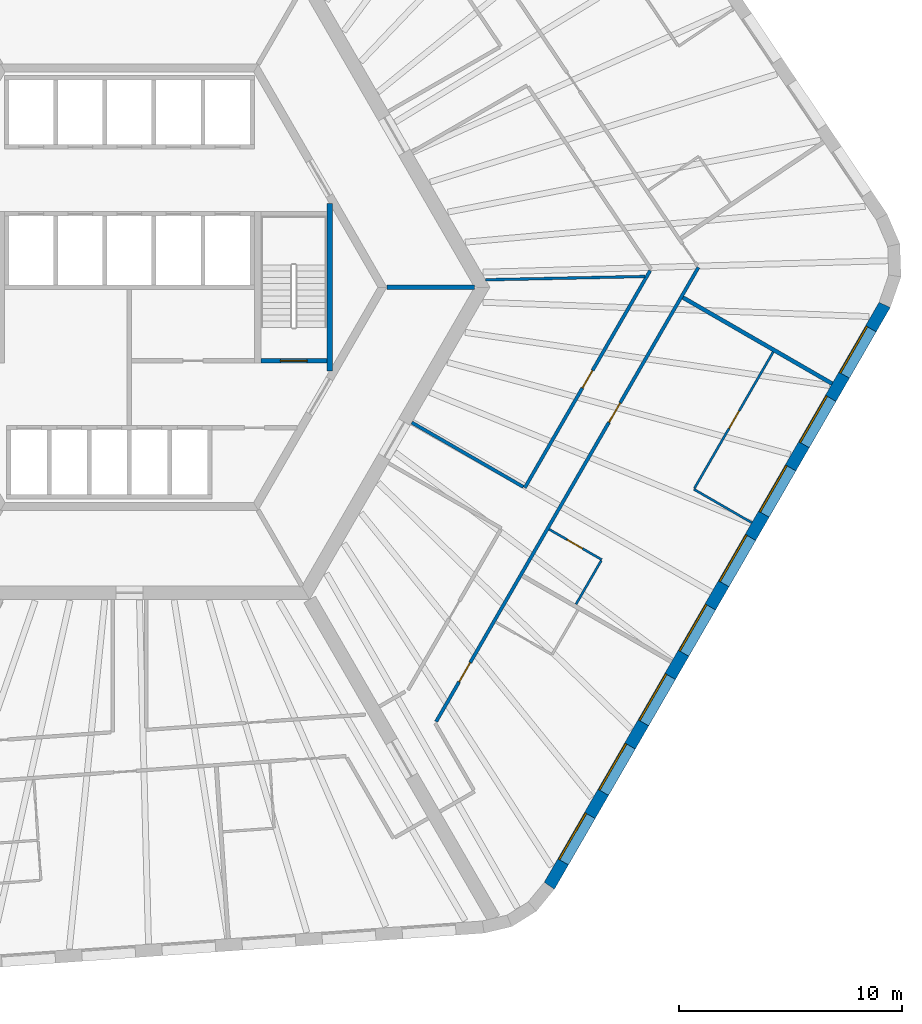
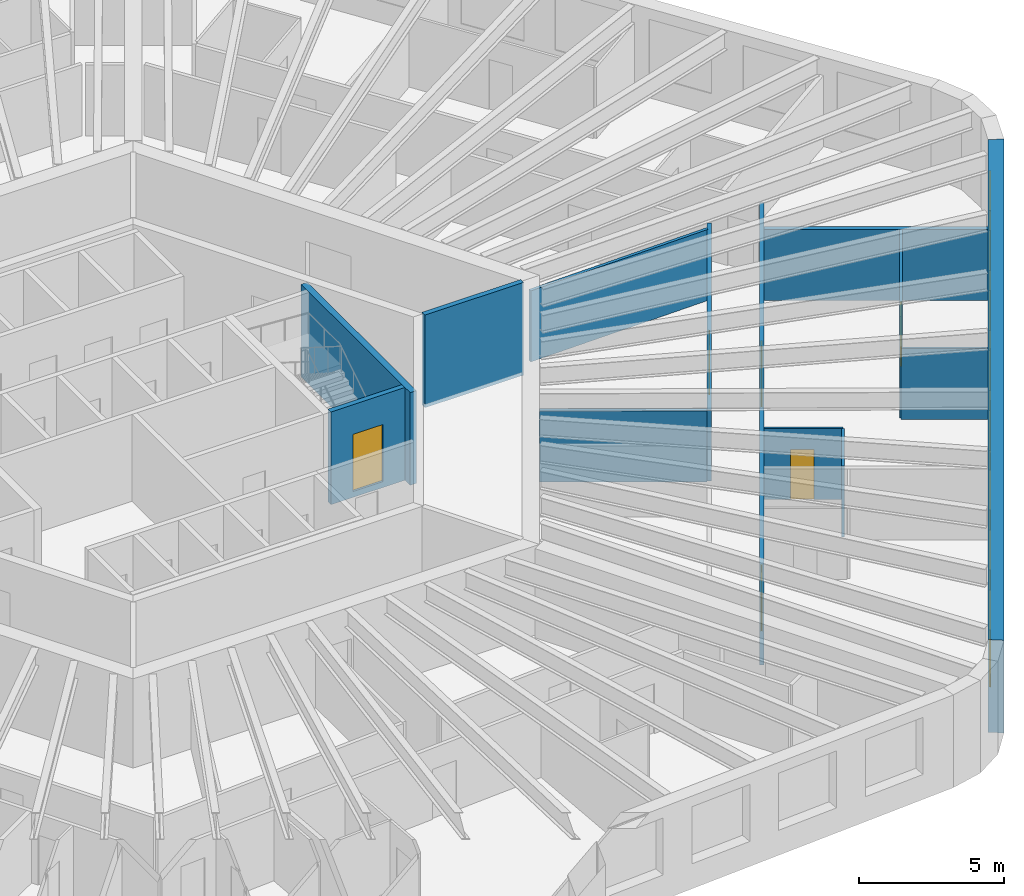
# One storey, part 6 of 12: 13 walls, 8 windows, 6 doors, 14 openings.
"""IFC4 building model written with IfcOpenShell, lengths in metres."""

from ifc_helpers import new_model, si_unit, direction, frame, frame_2d, origin, place, context, subcontext, project, spatial, polyline, rectangle, outline, extrude, material, layer, layer_set, type_object, element, fill, save


model = new_model("IFC4")

# Units and contexts
model_context = context("Model", 3, precision=1e-05, world=origin(), true_north=direction((0.0, 1.0)))
body_context = subcontext(model_context, "Body", "Model", "MODEL_VIEW")
ifc_project = project(units=[si_unit("LENGTHUNIT", "METRE"), si_unit("AREAUNIT", "SQUARE_METRE"), si_unit("VOLUMEUNIT", "CUBIC_METRE"), si_unit("PLANEANGLEUNIT", "RADIAN"), si_unit("MASSUNIT", "GRAM", prefix="KILO")], contexts=[model_context])

# Site, building, storey
site_placement = place(None, origin())
site = spatial("IfcSite", under=ifc_project, at=site_placement, CompositionType="ELEMENT")
building_placement = place(site_placement, origin())
building = spatial("IfcBuilding", under=site, at=building_placement, Name="Tarnside Tower", CompositionType="ELEMENT")
storey_placement = place(building_placement, frame((0.0, 0.0, 84.300048828125)))
storey = spatial("IfcBuildingStorey", under=building, at=storey_placement, Name="L18", CompositionType="ELEMENT", Elevation=84.300048828125)

# Wall, opening, door
ifc_material_1 = material(Name="Gypsum board partition on steel studs", Category="steel")
ifc_layer_1 = layer(ifc_material_1, 0.10009765625)
ifc_layer_set_1 = layer_set([ifc_layer_1], Name="Bathroom wall 100")
wall_type_1 = type_object("IfcWallType", Name="Bathroom wall 100", PredefinedType="PARTITIONING", material=ifc_layer_set_1)
wall_1_placement = place(storey_placement, frame((18.81982421875, -10.85302734375, 0.0), z_axis=(0.0, 0.0, 1.0), x_axis=(0.866073700213, -0.499916338801, 0.0)))
wall_1 = element("IfcWall", 1, at=wall_1_placement, inside=storey, type_object=wall_type_1, Name="Bathroom wall 05142", PredefinedType="PARTITIONING", context=body_context, shape_type="SweptSolid", body=[
    extrude(rectangle(XDim=2.72509765625, YDim=0.10009765625, at=frame_2d((1.362548828125, 0.0))), origin(), (0.0, 0.0, 1.0), 2.98779296875),
])
opening_1_placement = place(wall_1_placement, frame((0.925048828125, 0.0, 0.0)))
opening_1 = element("IfcOpeningElement", 2, at=opening_1_placement, cuts=wall_1, Name="Opening D-B1", PredefinedType="OPENING", context=body_context, shape_type="SweptSolid", body=[
    extrude(rectangle(XDim=0.800048828125, YDim=2.10009765625, at=frame_2d((0.39990234375, 1.050048828125))), frame((0.0, 0.06005859375, 0.0), z_axis=(0.0, -1.0, 0.0), x_axis=(1.0, 0.0, 0.0)), (0.0, 0.0, 1.0), 0.1201171875),
])
ifc_material_2 = material(Name="Timber door leaf", Category="wood")
door_type_1 = type_object("IfcDoorType", Name="Bathroom door 800", OperationType="NOTDEFINED", PredefinedType="DOOR", material=ifc_material_2)
door_1_placement = place(opening_1_placement, origin())
door_1 = element("IfcDoor", 3, at=door_1_placement, inside=storey, type_object=door_type_1, Name="Bathroom door 05033", OperationType="SINGLE_SWING_RIGHT", OverallHeight=2.10009765625, OverallWidth=0.800048828125, PredefinedType="DOOR", context=body_context, shape_type="SweptSolid", body=[
    extrude(rectangle(XDim=0.800048828125, YDim=2.10009765625, at=frame_2d((0.39990234375, 1.050048828125))), frame((0.0, 0.02490234375, 0.0), z_axis=(0.0, -1.0, 0.0), x_axis=(1.0, 0.0, 0.0)), (0.0, 0.0, 1.0), 0.050048828125),
])
fill(opening_1, door_1)

# Wall
wall_2_placement = place(storey_placement, frame((21.15478515625, -12.2587890625, 0.0), z_axis=(0.0, 0.0, 1.0), x_axis=(-0.49995000081, -0.866054268906, 0.0)))
element("IfcWall", 4, at=wall_2_placement, inside=storey, type_object=wall_type_1, Name="Bathroom wall 05143", PredefinedType="PARTITIONING", context=body_context, shape_type="SweptSolid", body=[
    extrude(rectangle(XDim=2.260009765625, YDim=0.10009765625, at=frame_2d((1.1298828125, 0.0))), origin(), (0.0, 0.0, 1.0), 2.98779296875),
])

# Wall, openings, doors
ifc_layer_2 = layer(ifc_material_1, 0.14990234375)
ifc_layer_set_2 = layer_set([ifc_layer_2], Name="Corridor wall 150 EI 60")
wall_type_2 = type_object("IfcWallType", Name="Corridor wall 150 EI 60", PredefinedType="PARTITIONING", material=ifc_layer_set_2)
wall_3_placement = place(storey_placement, frame((13.75537109375, -19.47509765625, 0.0), z_axis=(0.0, 0.0, 1.0), x_axis=(0.50000013933, 0.866025323342, 0.0)))
wall_3 = element("IfcWall", 5, at=wall_3_placement, inside=storey, type_object=wall_type_2, Name="Corridor wall 05057", PredefinedType="PARTITIONING", context=body_context, shape_type="SweptSolid", body=[
    extrude(rectangle(XDim=23.5166015625, YDim=0.14990234375, at=frame_2d((11.75830078125, 0.0))), origin(), (0.0, 0.0, 1.0), 2.98779296875),
])
opening_2_placement = place(wall_3_placement, frame((2.056396484375, 0.0, 0.0)))
opening_2 = element("IfcOpeningElement", 6, at=opening_2_placement, cuts=wall_3, Name="Opening D-E1", PredefinedType="OPENING", context=body_context, shape_type="SweptSolid", body=[
    extrude(rectangle(XDim=1.0, YDim=2.10009765625, at=frame_2d((0.5, 1.050048828125))), frame((0.0, 0.0849609375, 0.0), z_axis=(0.0, -1.0, 0.0), x_axis=(1.0, 0.0, 0.0)), (0.0, 0.0, 1.0), 0.169921875),
])
opening_3_placement = place(wall_3_placement, frame((15.499267578125, 0.0, 0.0)))
opening_3 = element("IfcOpeningElement", 7, at=opening_3_placement, cuts=wall_3, Name="Opening D-E1", PredefinedType="OPENING", context=body_context, shape_type="SweptSolid", body=[
    extrude(rectangle(XDim=1.0, YDim=2.10009765625, at=frame_2d((0.5, 1.050048828125))), frame((0.0, 0.0849609375, 0.0), z_axis=(0.0, -1.0, 0.0), x_axis=(1.0, 0.0, 0.0)), (0.0, 0.0, 1.0), 0.169921875),
])
door_type_2 = type_object("IfcDoorType", Name="Unit entrance door 1000 FD30S", OperationType="NOTDEFINED", PredefinedType="DOOR", material=ifc_material_2)
door_2_placement = place(opening_2_placement, origin())
door_2 = element("IfcDoor", 8, at=door_2_placement, inside=storey, type_object=door_type_2, Name="Unit door 05030", OperationType="SINGLE_SWING_RIGHT", OverallHeight=2.10009765625, OverallWidth=1.0, PredefinedType="DOOR", context=body_context, shape_type="SweptSolid", body=[
    extrude(rectangle(XDim=1.0, YDim=2.10009765625, at=frame_2d((0.5, 1.050048828125))), frame((0.0, 0.02490234375, 0.0), z_axis=(0.0, -1.0, 0.0), x_axis=(1.0, 0.0, 0.0)), (0.0, 0.0, 1.0), 0.050048828125),
])
fill(opening_2, door_2)
door_3_placement = place(opening_3_placement, origin())
door_3 = element("IfcDoor", 9, at=door_3_placement, inside=storey, type_object=door_type_2, Name="Unit door 05032", OperationType="SINGLE_SWING_LEFT", OverallHeight=2.10009765625, OverallWidth=1.0, PredefinedType="DOOR", context=body_context, shape_type="SweptSolid", body=[
    extrude(rectangle(XDim=1.0, YDim=2.10009765625, at=frame_2d((0.5, 1.050048828125))), frame((0.0, 0.02490234375, 0.0), z_axis=(0.0, -1.0, 0.0), x_axis=(1.0, 0.0, 0.0)), (0.0, 0.0, 1.0), 0.050048828125),
])
fill(opening_3, door_3)

# Wall, opening, door
wall_4_placement = place(storey_placement, frame((23.3505859375, 0.74462890625, 0.0), z_axis=(0.0, 0.0, 1.0), x_axis=(-0.49999316964, -0.866029347258, 0.0)))
wall_4 = element("IfcWall", 10, at=wall_4_placement, inside=storey, type_object=wall_type_2, Name="Corridor wall 05069", PredefinedType="PARTITIONING", context=body_context, shape_type="SweptSolid", body=[
    extrude(rectangle(XDim=11.241455078125, YDim=0.14990234375, at=frame_2d((5.62060546875, 0.0))), origin(), (0.0, 0.0, 1.0), 2.98779296875),
])
opening_4_placement = place(wall_4_placement, frame((5.170654296875, 0.0, 0.0)))
opening_4 = element("IfcOpeningElement", 11, at=opening_4_placement, cuts=wall_4, Name="Opening D-S1", PredefinedType="OPENING", context=body_context, shape_type="SweptSolid", body=[
    extrude(rectangle(XDim=0.89990234375, YDim=2.10009765625, at=frame_2d((0.449951171875, 1.050048828125))), frame((0.0, 0.0849609375, 0.0), z_axis=(0.0, -1.0, 0.0), x_axis=(1.0, 0.0, 0.0)), (0.0, 0.0, 1.0), 0.169921875),
])
door_type_3 = type_object("IfcDoorType", Name="Service room door 900 FD30S", OperationType="NOTDEFINED", PredefinedType="DOOR", material=ifc_material_2)
door_4_placement = place(opening_4_placement, origin())
door_4 = element("IfcDoor", 12, at=door_4_placement, inside=storey, type_object=door_type_3, Name="Service door 05049", OperationType="SINGLE_SWING_RIGHT", OverallHeight=2.10009765625, OverallWidth=0.89990234375, PredefinedType="DOOR", context=body_context, shape_type="SweptSolid", body=[
    extrude(rectangle(XDim=0.89990234375, YDim=2.10009765625, at=frame_2d((0.449951171875, 1.050048828125))), frame((0.0, 0.02490234375, 0.0), z_axis=(0.0, -1.0, 0.0), x_axis=(1.0, 0.0, 0.0)), (0.0, 0.0, 1.0), 0.050048828125),
])
fill(opening_4, door_4)

# Walls
wall_5_placement = place(storey_placement, frame((17.6650390625, -8.953125, 0.0), z_axis=(0.0, 0.0, 1.0), x_axis=(-0.866025774745, 0.499999357477, 0.0)))
element("IfcWall", 13, at=wall_5_placement, inside=storey, type_object=wall_type_2, Name="Corridor wall 05070", PredefinedType="PARTITIONING", context=body_context, shape_type="SweptSolid", body=[
    extrude(rectangle(XDim=5.77490234375, YDim=0.14990234375, at=frame_2d((2.887451171875, 0.0))), origin(), (0.0, 0.0, 1.0), 2.98779296875),
])
ifc_layer_3 = layer(ifc_material_1, 0.179931640625)
ifc_layer_set_3 = layer_set([ifc_layer_3], Name="Demising wall 180 EI 60")
wall_type_3 = type_object("IfcWallType", Name="Demising wall 180 EI 60", PredefinedType="PARTITIONING", material=ifc_layer_set_3)
wall_6_placement = place(storey_placement, frame((31.510009765625, -4.3232421875, 0.0), z_axis=(0.0, 0.0, 1.0), x_axis=(-0.866027174938, 0.499996932259, 0.0)))
element("IfcWall", 14, at=wall_6_placement, inside=storey, type_object=wall_type_3, Name="Demising wall 05146", PredefinedType="PARTITIONING", context=body_context, shape_type="SweptSolid", body=[
    extrude(rectangle(XDim=7.72509765625, YDim=0.179931640625, at=frame_2d((3.862548828125, 0.0))), origin(), (0.0, 0.0, 1.0), 2.98779296875),
])
ifc_material_3 = material(Name="Concrete C40/50", Category="concrete")
ifc_layer_4 = layer(ifc_material_3, 0.199951171875)
ifc_layer_set_4 = layer_set([ifc_layer_4], Name="Lift shaft wall 200 C40/50")
wall_type_4 = type_object("IfcWallType", Name="Lift shaft wall 200 C40/50", PredefinedType="SHEAR", material=ifc_layer_set_4)
wall_7_placement = place(storey_placement, frame((11.547119140625, 0.0, -0.150146484375), z_axis=(0.0, 0.0, 1.0), x_axis=(1.0, 0.0, 0.0)))
element("IfcWall", 15, at=wall_7_placement, inside=storey, type_object=wall_type_4, Name="L18 core partition AR0", PredefinedType="SHEAR", context=body_context, shape_type="SweptSolid", body=[
    extrude(rectangle(XDim=3.92578125, YDim=0.199951171875, at=frame_2d((1.962890625, 0.0))), origin(), (0.0, 0.0, 1.0), 3.900146484375),
])

# Wall, opening, door
wall_8_placement = place(storey_placement, frame((5.89990234375, -3.300048828125, -0.25), z_axis=(0.0, 0.0, 1.0), x_axis=(1.0, 0.0, 0.0)))
wall_8 = element("IfcWall", 16, at=wall_8_placement, inside=storey, type_object=wall_type_4, Name="L18 stair 1 enclosure cap wall s", PredefinedType="SHEAR", context=body_context, shape_type="SweptSolid", body=[
    extrude(rectangle(XDim=2.9501953125, YDim=0.199951171875, at=frame_2d((1.47509765625, 0.0))), origin(), (0.0, 0.0, 1.0), 3.89990234375),
])
opening_5_placement = place(wall_8_placement, frame((0.875, 0.0, 0.25)))
opening_5 = element("IfcOpeningElement", 17, at=opening_5_placement, cuts=wall_8, Name="Opening CD-STR", PredefinedType="OPENING", context=body_context, shape_type="SweptSolid", body=[
    extrude(rectangle(XDim=1.199951171875, YDim=2.39990234375, at=frame_2d((0.60009765625, 1.199951171875))), frame((0.0, 0.10986328125, 0.0), z_axis=(0.0, -1.0, 0.0), x_axis=(1.0, 0.0, 0.0)), (0.0, 0.0, 1.0), 0.219970703125),
])
ifc_material_4 = material(Name="Steel fire door", Category="steel")
door_type_4 = type_object("IfcDoorType", Name="Stair door FD60S 1200x2400", OperationType="NOTDEFINED", PredefinedType="DOOR", material=ifc_material_4)
door_5_placement = place(opening_5_placement, origin())
door_5 = element("IfcDoor", 18, at=door_5_placement, inside=storey, type_object=door_type_4, Name="L18 stair 1 door", OperationType="SINGLE_SWING_LEFT", OverallHeight=2.39990234375, OverallWidth=1.199951171875, PredefinedType="DOOR", context=body_context, shape_type="SweptSolid", body=[
    extrude(rectangle(XDim=1.199951171875, YDim=2.39990234375, at=frame_2d((0.60009765625, 1.199951171875))), frame((0.0, 0.02490234375, 0.0), z_axis=(0.0, -1.0, 0.0), x_axis=(1.0, 0.0, 0.0)), (0.0, 0.0, 1.0), 0.050048828125),
])
fill(opening_5, door_5)

# Wall
ifc_layer_5 = layer(ifc_material_1, 0.10009765625)
ifc_layer_set_5 = layer_set([ifc_layer_5], Name="Partition 100")
wall_type_5 = type_object("IfcWallType", Name="Partition 100", PredefinedType="PARTITIONING", material=ifc_layer_set_5)
wall_9_placement = place(storey_placement, frame((27.909912109375, -10.55859375, 0.0), z_axis=(0.0, 0.0, 1.0), x_axis=(-0.866010750942, 0.50002537861, 0.0)))
element("IfcWall", 19, at=wall_9_placement, inside=storey, type_object=wall_type_5, Name="Partition wall 05144", PredefinedType="PARTITIONING", context=body_context, shape_type="SweptSolid", body=[
    extrude(rectangle(XDim=2.999755859375, YDim=0.10009765625, at=frame_2d((1.5, 0.0))), origin(), (0.0, 0.0, 1.0), 2.98779296875),
])

# Wall, opening, door
wall_10_placement = place(storey_placement, frame((25.3369140625, -9.01513671875, 0.0), z_axis=(0.0, 0.0, 1.0), x_axis=(0.500010820671, 0.866019156377, 0.0)))
wall_10 = element("IfcWall", 20, at=wall_10_placement, inside=storey, type_object=wall_type_5, Name="Partition wall 05145", PredefinedType="PARTITIONING", context=body_context, shape_type="SweptSolid", body=[
    extrude(rectangle(XDim=7.059814453125, YDim=0.10009765625, at=frame_2d((3.52978515625, 0.0))), origin(), (0.0, 0.0, 1.0), 2.98779296875),
])
opening_6_placement = place(wall_10_placement, frame((3.10009765625, 0.0, 0.0)))
opening_6 = element("IfcOpeningElement", 21, at=opening_6_placement, cuts=wall_10, Name="Opening D-I1", PredefinedType="OPENING", context=body_context, shape_type="SweptSolid", body=[
    extrude(rectangle(XDim=0.89990234375, YDim=2.10009765625, at=frame_2d((0.449951171875, 1.050048828125))), frame((0.0, 0.06005859375, 0.0), z_axis=(0.0, -1.0, 0.0), x_axis=(1.0, 0.0, 0.0)), (0.0, 0.0, 1.0), 0.1201171875),
])
door_type_5 = type_object("IfcDoorType", Name="Internal door 900", OperationType="NOTDEFINED", PredefinedType="DOOR", material=ifc_material_2)
door_6_placement = place(opening_6_placement, origin())
door_6 = element("IfcDoor", 22, at=door_6_placement, inside=storey, type_object=door_type_5, Name="Internal door 05034", OperationType="SINGLE_SWING_RIGHT", OverallHeight=2.10009765625, OverallWidth=0.89990234375, PredefinedType="DOOR", context=body_context, shape_type="SweptSolid", body=[
    extrude(rectangle(XDim=0.89990234375, YDim=2.10009765625, at=frame_2d((0.449951171875, 1.050048828125))), frame((0.0, 0.02490234375, 0.0), z_axis=(0.0, -1.0, 0.0), x_axis=(1.0, 0.0, 0.0)), (0.0, 0.0, 1.0), 0.050048828125),
])
fill(opening_6, door_6)

# Walls
ifc_layer_6 = layer(ifc_material_1, 0.1201171875)
ifc_layer_set_6 = layer_set([ifc_layer_6], Name="Service room wall 120 EI 60")
wall_type_6 = type_object("IfcWallType", Name="Service room wall 120 EI 60", PredefinedType="PARTITIONING", material=ifc_layer_set_6)
wall_11_placement = place(storey_placement, frame((23.113037109375, 0.483154296875, 0.0), z_axis=(0.0, 0.0, 1.0), x_axis=(-0.999781109464, -0.020922073482, 0.0)))
element("IfcWall", 23, at=wall_11_placement, inside=storey, type_object=wall_type_6, Name="Service wall 05161", PredefinedType="PARTITIONING", context=body_context, shape_type="SweptSolid", body=[
    extrude(rectangle(XDim=7.141357421875, YDim=0.1201171875, at=frame_2d((3.57080078125, 0.0))), origin(), (0.0, 0.0, 1.0), 2.98779296875),
])
ifc_layer_7 = layer(ifc_material_3, 0.25)
ifc_layer_set_7 = layer_set([ifc_layer_7], Name="Stair enclosure wall 250 C40/50")
wall_type_7 = type_object("IfcWallType", Name="Stair enclosure wall 250 C40/50", PredefinedType="SHEAR", material=ifc_layer_set_7)
wall_12_placement = place(storey_placement, frame((8.97509765625, -3.7548828125, -0.25), z_axis=(0.0, 0.0, 1.0), x_axis=(0.0, 1.0, 0.0)))
element("IfcWall", 24, at=wall_12_placement, inside=storey, type_object=wall_type_7, Name="L18 stair 1 enclosure wall outer", PredefinedType="SHEAR", context=body_context, shape_type="SweptSolid", body=[
    extrude(rectangle(XDim=7.509765625, YDim=0.25, at=frame_2d((3.7548828125, 0.0))), origin(), (0.0, 0.0, 1.0), 3.89990234375),
])

# Wall, openings, windows
ifc_material_5 = material(Name="Facing brick", Category="masonry")
ifc_layer_8 = layer(ifc_material_5, 0.10205078125)
ifc_material_6 = material(Name="Concrete C60/75 precast", Category="concrete")
ifc_layer_9 = layer(ifc_material_6, 0.347900390625)
ifc_material_7 = material(Name="Mineral wool insulation")
ifc_layer_10 = layer(ifc_material_7, 0.10009765625)
ifc_layer_set_8 = layer_set([ifc_layer_8, ifc_layer_9, ifc_layer_10], Name="Tube wall 550 brick faced")
wall_type_8 = type_object("IfcWallType", Name="Tube wall 550 brick faced", PredefinedType="SOLIDWALL", material=ifc_layer_set_8)
wall_13_placement = place(storey_placement, frame((18.830322265625, -26.834716796875, -0.150146484375), z_axis=(0.0, 0.0, 1.0), x_axis=(0.500003800416, 0.866023209602, 0.0)))
wall_13 = element("IfcWall", 25, at=wall_13_placement, inside=storey, type_object=wall_type_8, Name="Tube wall L18 F5 flush 16", PredefinedType="SOLIDWALL", context=body_context, shape_type="SweptSolid", body=[
    extrude(outline(polyline([(-0.0224609375, -0.27490234375), (30.0966796875, -0.27490234375), (30.04541015625, 0.27490234375), (0.0224609375, 0.27490234375), (-0.0224609375, -0.27490234375)])), origin(), (0.0, 0.0, 1.0), 3.900146484375),
])
opening_7_placement = place(wall_13_placement, frame((1.235595703125, 0.0, 1.050048828125)))
opening_7 = element("IfcOpeningElement", 26, at=opening_7_placement, cuts=wall_13, Name="Opening WH", PredefinedType="OPENING", context=body_context, shape_type="SweptSolid", body=[
    extrude(rectangle(XDim=2.39990234375, YDim=2.39990234375, at=frame_2d((1.199951171875, 1.199951171875))), frame((0.0, 0.28515625, 0.0), z_axis=(0.0, -1.0, 0.0), x_axis=(1.0, 0.0, 0.0)), (0.0, 0.0, 1.0), 0.570068359375),
])
opening_8_placement = place(wall_13_placement, frame((4.83544921875, 0.0, 1.050048828125)))
opening_8 = element("IfcOpeningElement", 27, at=opening_8_placement, cuts=wall_13, Name="Opening WH", PredefinedType="OPENING", context=body_context, shape_type="SweptSolid", body=[
    extrude(rectangle(XDim=2.39990234375, YDim=2.39990234375, at=frame_2d((1.199951171875, 1.199951171875))), frame((0.0, 0.28515625, 0.0), z_axis=(0.0, -1.0, 0.0), x_axis=(1.0, 0.0, 0.0)), (0.0, 0.0, 1.0), 0.570068359375),
])
opening_9_placement = place(wall_13_placement, frame((8.435546875, 0.0, 1.050048828125)))
opening_9 = element("IfcOpeningElement", 28, at=opening_9_placement, cuts=wall_13, Name="Opening WH", PredefinedType="OPENING", context=body_context, shape_type="SweptSolid", body=[
    extrude(rectangle(XDim=2.39990234375, YDim=2.39990234375, at=frame_2d((1.199951171875, 1.199951171875))), frame((0.0, 0.28515625, 0.0), z_axis=(0.0, -1.0, 0.0), x_axis=(1.0, 0.0, 0.0)), (0.0, 0.0, 1.0), 0.570068359375),
])
opening_10_placement = place(wall_13_placement, frame((12.035400390625, 0.0, 1.050048828125)))
opening_10 = element("IfcOpeningElement", 29, at=opening_10_placement, cuts=wall_13, Name="Opening WH", PredefinedType="OPENING", context=body_context, shape_type="SweptSolid", body=[
    extrude(rectangle(XDim=2.39990234375, YDim=2.39990234375, at=frame_2d((1.199951171875, 1.199951171875))), frame((0.0, 0.28515625, 0.0), z_axis=(0.0, -1.0, 0.0), x_axis=(1.0, 0.0, 0.0)), (0.0, 0.0, 1.0), 0.570068359375),
])
opening_11_placement = place(wall_13_placement, frame((15.635498046875, 0.0, 1.050048828125)))
opening_11 = element("IfcOpeningElement", 30, at=opening_11_placement, cuts=wall_13, Name="Opening WH", PredefinedType="OPENING", context=body_context, shape_type="SweptSolid", body=[
    extrude(rectangle(XDim=2.39990234375, YDim=2.39990234375, at=frame_2d((1.199951171875, 1.199951171875))), frame((0.0, 0.28515625, 0.0), z_axis=(0.0, -1.0, 0.0), x_axis=(1.0, 0.0, 0.0)), (0.0, 0.0, 1.0), 0.570068359375),
])
opening_12_placement = place(wall_13_placement, frame((19.235595703125, 0.0, 1.050048828125)))
opening_12 = element("IfcOpeningElement", 31, at=opening_12_placement, cuts=wall_13, Name="Opening WH", PredefinedType="OPENING", context=body_context, shape_type="SweptSolid", body=[
    extrude(rectangle(XDim=2.39990234375, YDim=2.39990234375, at=frame_2d((1.199951171875, 1.199951171875))), frame((0.0, 0.28515625, 0.0), z_axis=(0.0, -1.0, 0.0), x_axis=(1.0, 0.0, 0.0)), (0.0, 0.0, 1.0), 0.570068359375),
])
opening_13_placement = place(wall_13_placement, frame((22.83544921875, 0.0, 1.050048828125)))
opening_13 = element("IfcOpeningElement", 32, at=opening_13_placement, cuts=wall_13, Name="Opening WH", PredefinedType="OPENING", context=body_context, shape_type="SweptSolid", body=[
    extrude(rectangle(XDim=2.39990234375, YDim=2.39990234375, at=frame_2d((1.199951171875, 1.199951171875))), frame((0.0, 0.28515625, 0.0), z_axis=(0.0, -1.0, 0.0), x_axis=(1.0, 0.0, 0.0)), (0.0, 0.0, 1.0), 0.570068359375),
])
opening_14_placement = place(wall_13_placement, frame((26.435546875, 0.0, 1.050048828125)))
opening_14 = element("IfcOpeningElement", 33, at=opening_14_placement, cuts=wall_13, Name="Opening WH", PredefinedType="OPENING", context=body_context, shape_type="SweptSolid", body=[
    extrude(rectangle(XDim=2.39990234375, YDim=2.39990234375, at=frame_2d((1.199951171875, 1.199951171875))), frame((0.0, 0.28515625, 0.0), z_axis=(0.0, -1.0, 0.0), x_axis=(1.0, 0.0, 0.0)), (0.0, 0.0, 1.0), 0.570068359375),
])
ifc_material_8 = material(Name="Aluminium-framed double glazing", Category="aluminium")
window_type = type_object("IfcWindowType", Name="Hotel window 2400 x 2400", PartitioningType="DOUBLE_PANEL_VERTICAL", PredefinedType="WINDOW", material=ifc_material_8)
window_1_placement = place(opening_7_placement, frame((0.0, 0.205078125, 0.0)))
window_1 = element("IfcWindow", 34, at=window_1_placement, inside=storey, type_object=window_type, Name="E.WN.L18.F5.00", OverallHeight=2.39990234375, OverallWidth=2.39990234375, PartitioningType="DOUBLE_PANEL_VERTICAL", PredefinedType="WINDOW", context=body_context, shape_type="SweptSolid", body=[
    extrude(rectangle(XDim=2.39990234375, YDim=2.39990234375, at=frame_2d((1.199951171875, 1.199951171875))), frame((0.0, 0.030029296875, 0.0), z_axis=(0.0, -1.0, 0.0), x_axis=(1.0, 0.0, 0.0)), (0.0, 0.0, 1.0), 0.06005859375),
])
fill(opening_7, window_1)
window_2_placement = place(opening_8_placement, frame((0.0, 0.205078125, 0.0)))
window_2 = element("IfcWindow", 35, at=window_2_placement, inside=storey, type_object=window_type, Name="E.WN.L18.F5.01", OverallHeight=2.39990234375, OverallWidth=2.39990234375, PartitioningType="DOUBLE_PANEL_VERTICAL", PredefinedType="WINDOW", context=body_context, shape_type="SweptSolid", body=[
    extrude(rectangle(XDim=2.39990234375, YDim=2.39990234375, at=frame_2d((1.199951171875, 1.199951171875))), frame((0.0, 0.030029296875, 0.0), z_axis=(0.0, -1.0, 0.0), x_axis=(1.0, 0.0, 0.0)), (0.0, 0.0, 1.0), 0.06005859375),
])
fill(opening_8, window_2)
window_3_placement = place(opening_9_placement, frame((0.0, 0.205078125, 0.0)))
window_3 = element("IfcWindow", 36, at=window_3_placement, inside=storey, type_object=window_type, Name="E.WN.L18.F5.02", OverallHeight=2.39990234375, OverallWidth=2.39990234375, PartitioningType="DOUBLE_PANEL_VERTICAL", PredefinedType="WINDOW", context=body_context, shape_type="SweptSolid", body=[
    extrude(rectangle(XDim=2.39990234375, YDim=2.39990234375, at=frame_2d((1.199951171875, 1.199951171875))), frame((0.0, 0.030029296875, 0.0), z_axis=(0.0, -1.0, 0.0), x_axis=(1.0, 0.0, 0.0)), (0.0, 0.0, 1.0), 0.06005859375),
])
fill(opening_9, window_3)
window_4_placement = place(opening_10_placement, frame((0.0, 0.205078125, 0.0)))
window_4 = element("IfcWindow", 37, at=window_4_placement, inside=storey, type_object=window_type, Name="E.WN.L18.F5.03", OverallHeight=2.39990234375, OverallWidth=2.39990234375, PartitioningType="DOUBLE_PANEL_VERTICAL", PredefinedType="WINDOW", context=body_context, shape_type="SweptSolid", body=[
    extrude(rectangle(XDim=2.39990234375, YDim=2.39990234375, at=frame_2d((1.199951171875, 1.199951171875))), frame((0.0, 0.030029296875, 0.0), z_axis=(0.0, -1.0, 0.0), x_axis=(1.0, 0.0, 0.0)), (0.0, 0.0, 1.0), 0.06005859375),
])
fill(opening_10, window_4)
window_5_placement = place(opening_11_placement, frame((0.0, 0.205078125, 0.0)))
window_5 = element("IfcWindow", 38, at=window_5_placement, inside=storey, type_object=window_type, Name="E.WN.L18.F5.04", OverallHeight=2.39990234375, OverallWidth=2.39990234375, PartitioningType="DOUBLE_PANEL_VERTICAL", PredefinedType="WINDOW", context=body_context, shape_type="SweptSolid", body=[
    extrude(rectangle(XDim=2.39990234375, YDim=2.39990234375, at=frame_2d((1.199951171875, 1.199951171875))), frame((0.0, 0.030029296875, 0.0), z_axis=(0.0, -1.0, 0.0), x_axis=(1.0, 0.0, 0.0)), (0.0, 0.0, 1.0), 0.06005859375),
])
fill(opening_11, window_5)
window_6_placement = place(opening_12_placement, frame((0.0, 0.205078125, 0.0)))
window_6 = element("IfcWindow", 39, at=window_6_placement, inside=storey, type_object=window_type, Name="E.WN.L18.F5.05", OverallHeight=2.39990234375, OverallWidth=2.39990234375, PartitioningType="DOUBLE_PANEL_VERTICAL", PredefinedType="WINDOW", context=body_context, shape_type="SweptSolid", body=[
    extrude(rectangle(XDim=2.39990234375, YDim=2.39990234375, at=frame_2d((1.199951171875, 1.199951171875))), frame((0.0, 0.030029296875, 0.0), z_axis=(0.0, -1.0, 0.0), x_axis=(1.0, 0.0, 0.0)), (0.0, 0.0, 1.0), 0.06005859375),
])
fill(opening_12, window_6)
window_7_placement = place(opening_13_placement, frame((0.0, 0.205078125, 0.0)))
window_7 = element("IfcWindow", 40, at=window_7_placement, inside=storey, type_object=window_type, Name="E.WN.L18.F5.06", OverallHeight=2.39990234375, OverallWidth=2.39990234375, PartitioningType="DOUBLE_PANEL_VERTICAL", PredefinedType="WINDOW", context=body_context, shape_type="SweptSolid", body=[
    extrude(rectangle(XDim=2.39990234375, YDim=2.39990234375, at=frame_2d((1.199951171875, 1.199951171875))), frame((0.0, 0.030029296875, 0.0), z_axis=(0.0, -1.0, 0.0), x_axis=(1.0, 0.0, 0.0)), (0.0, 0.0, 1.0), 0.06005859375),
])
fill(opening_13, window_7)
window_8_placement = place(opening_14_placement, frame((0.0, 0.205078125, 0.0)))
window_8 = element("IfcWindow", 41, at=window_8_placement, inside=storey, type_object=window_type, Name="E.WN.L18.F5.07", OverallHeight=2.39990234375, OverallWidth=2.39990234375, PartitioningType="DOUBLE_PANEL_VERTICAL", PredefinedType="WINDOW", context=body_context, shape_type="SweptSolid", body=[
    extrude(rectangle(XDim=2.39990234375, YDim=2.39990234375, at=frame_2d((1.199951171875, 1.199951171875))), frame((0.0, 0.030029296875, 0.0), z_axis=(0.0, -1.0, 0.0), x_axis=(1.0, 0.0, 0.0)), (0.0, 0.0, 1.0), 0.06005859375),
])
fill(opening_14, window_8)

save(model, "model.ifc")
